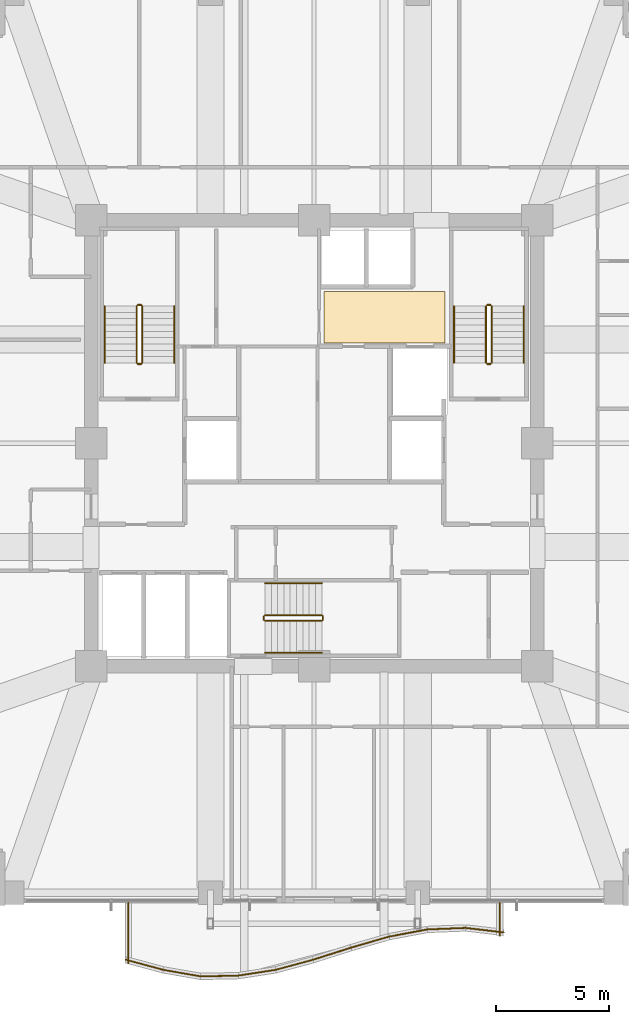
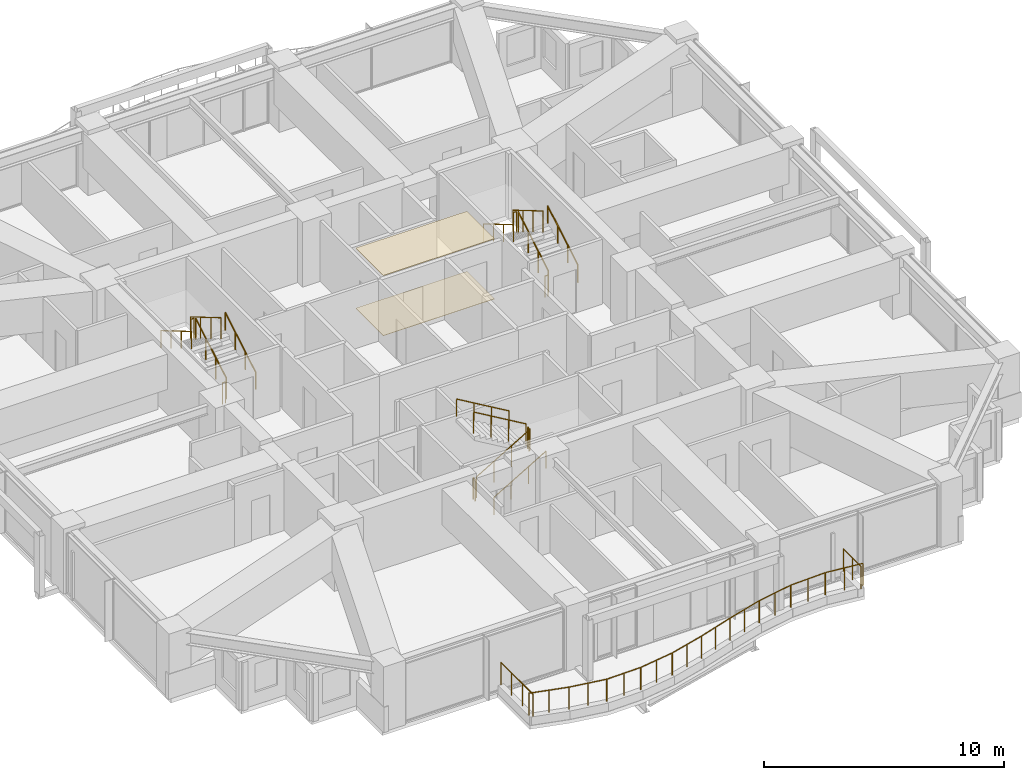
# One storey, part 38 of 39: 30 railings, 2 coverings.
"""IFC4 building model written with IfcOpenShell, lengths in metres."""

from ifc_helpers import new_model, si_unit, direction, frame, origin, origin_2d, place, context, subcontext, project, spatial, polyline, circle, outline, extrude, material, layer, layer_set, type_object, element, save


model = new_model("IFC4")

# Units and contexts
model_context = context("Model", 3, precision=1e-05, world=origin(), true_north=direction((0.0, 1.0)))
body_context = subcontext(model_context, "Body", "Model", "MODEL_VIEW")
ifc_project = project(units=[si_unit("LENGTHUNIT", "METRE"), si_unit("AREAUNIT", "SQUARE_METRE"), si_unit("VOLUMEUNIT", "CUBIC_METRE"), si_unit("PLANEANGLEUNIT", "RADIAN"), si_unit("MASSUNIT", "GRAM", prefix="KILO")], contexts=[model_context])

# Site, building, storey
site_placement = place(None, origin())
site = spatial("IfcSite", under=ifc_project, at=site_placement, CompositionType="ELEMENT")
building_placement = place(site_placement, origin())
building = spatial("IfcBuilding", under=site, at=building_placement, Name="Kolvaren Belvedere", CompositionType="ELEMENT")
storey_placement = place(building_placement, frame((0.0, 0.0, 85.39990234375)))
storey = spatial("IfcBuildingStorey", under=building, at=storey_placement, Name="L24", CompositionType="ELEMENT", Elevation=85.39990234375)

# Coverings
ifc_material_1 = material(Name="Acoustic perforated gypsum board", Category="gypsum")
ifc_layer_1 = layer(ifc_material_1, 0.02490234375)
ifc_layer_set_1 = layer_set([ifc_layer_1], Name="Acoustic perforated gypsum board")
covering_type_1 = type_object("IfcCoveringType", Name="COV-CEIL-GYP", PredefinedType="CEILING", material=ifc_layer_set_1)
covering_1_placement = place(storey_placement, frame((0.0, 0.0, 3.05517578125)))
element("IfcCovering", 1, at=covering_1_placement, inside=storey, type_object=covering_type_1, Name="L24 Lift Lobby Acoustic Baffle Ceiling", PredefinedType="CEILING", context=body_context, shape_type="SweptSolid", body=[
    extrude(outline(polyline([(0.449951171875, 4.449951171875), (5.800048828125, 4.449951171875), (5.800048828125, 6.75), (0.449951171875, 6.75), (0.449951171875, 4.449951171875)])), origin(), (0.0, 0.0, 1.0), 0.02490234375),
])
ifc_material_2 = material(Name="Engineered Pacific white oak", Category="timber")
ifc_layer_2 = layer(ifc_material_2, 0.02001953125)
ifc_layer_set_2 = layer_set([ifc_layer_2], Name="Engineered Pacific white oak")
covering_type_2 = type_object("IfcCoveringType", Name="COV-FLR-OAK", PredefinedType="FLOORING", material=ifc_layer_set_2)
covering_2_placement = place(storey_placement, origin())
element("IfcCovering", 2, at=covering_2_placement, inside=storey, type_object=covering_type_2, Name="L24 Lift Lobby Finish Flooring", PredefinedType="FLOORING", context=body_context, shape_type="SweptSolid", body=[
    extrude(outline(polyline([(0.449951171875, 4.449951171875), (5.800048828125, 4.449951171875), (5.800048828125, 6.75), (0.449951171875, 6.75), (0.449951171875, 4.449951171875)])), origin(), (0.0, 0.0, 1.0), 0.02001953125),
])

# Railings
ifc_material_3 = material(Name="Anodised pale-metal aluminium & laminated glass guard", Category="aluminium")
railing_type_1 = type_object("IfcRailingType", Name="RL-GUARD-1150", PredefinedType="GUARDRAIL", material=ifc_material_3)
railing_1_placement = place(storey_placement, frame((-8.3583984375, -22.919189453125, 0.380126953125)))
element("IfcRailing", 3, at=railing_1_placement, inside=storey, type_object=railing_type_1, Name="L24 Exterior Deck Safety Guard BAL-S-1", PredefinedType="GUARDRAIL", context=body_context, shape_type="SweptSolid", body=[
    extrude(circle(Radius=0.02392578125, at=origin_2d()), frame((0.0, 0.0, 1.1259765625), z_axis=(0.965434024814, -0.260647546949, 0.0), x_axis=(0.260647546949, 0.965434024814, 0.0)), (0.0, 0.0, 1.0), 1.740234375),
    extrude(circle(Radius=0.02099609375, at=origin_2d()), origin(), (0.0, 0.0, 1.0), 1.101806640625),
    extrude(circle(Radius=0.02099609375, at=origin_2d()), frame((0.840087890625, -0.226806640625, 0.0)), (0.0, 0.0, 1.0), 1.101806640625),
    extrude(circle(Radius=0.02099609375, at=origin_2d()), frame((1.68017578125, -0.45361328125, 0.0)), (0.0, 0.0, 1.0), 1.101806640625),
])
railing_2_placement = place(storey_placement, frame((-6.6923828125, -23.36962890625, 0.380126953125)))
element("IfcRailing", 4, at=railing_2_placement, inside=storey, type_object=railing_type_1, Name="L24 Exterior Deck Safety Guard BAL-S-2", PredefinedType="GUARDRAIL", context=body_context, shape_type="SweptSolid", body=[
    extrude(circle(Radius=0.02392578125, at=origin_2d()), frame((0.0, 0.0, 1.1259765625), z_axis=(0.985156010777, -0.171661394699, 0.0), x_axis=(0.171661394699, 0.985156010777, 0.0)), (0.0, 0.0, 1.0), 1.705322265625),
    extrude(circle(Radius=0.02099609375, at=origin_2d()), origin(), (0.0, 0.0, 1.0), 1.101806640625),
    extrude(circle(Radius=0.02099609375, at=origin_2d()), frame((0.83984375, -0.146484375, 0.0)), (0.0, 0.0, 1.0), 1.101806640625),
    extrude(circle(Radius=0.02099609375, at=origin_2d()), frame((1.679931640625, -0.292724609375, 0.0)), (0.0, 0.0, 1.0), 1.101806640625),
])
railing_3_placement = place(storey_placement, frame((-5.043212890625, -23.659912109375, 0.380126953125)))
element("IfcRailing", 5, at=railing_3_placement, inside=storey, type_object=railing_type_1, Name="L24 Exterior Deck Safety Guard BAL-S-3", PredefinedType="GUARDRAIL", context=body_context, shape_type="SweptSolid", body=[
    extrude(circle(Radius=0.02392578125, at=origin_2d()), frame((0.0, 0.0, 1.1259765625), z_axis=(0.99979895463, 0.020051192521, 0.0), x_axis=(-0.020051192521, 0.99979895463, 0.0)), (0.0, 0.0, 1.0), 1.68017578125),
    extrude(circle(Radius=0.02099609375, at=origin_2d()), origin(), (0.0, 0.0, 1.0), 1.101806640625),
    extrude(circle(Radius=0.02099609375, at=origin_2d()), frame((0.83984375, 0.016845703125, 0.0)), (0.0, 0.0, 1.0), 1.101806640625),
    extrude(circle(Radius=0.02099609375, at=origin_2d()), frame((1.679931640625, 0.03369140625, 0.0)), (0.0, 0.0, 1.0), 1.101806640625),
])
railing_4_placement = place(storey_placement, frame((-3.384521484375, -23.6279296875, 0.380126953125)))
element("IfcRailing", 6, at=railing_4_placement, inside=storey, type_object=railing_type_1, Name="L24 Exterior Deck Safety Guard BAL-S-4", PredefinedType="GUARDRAIL", context=body_context, shape_type="SweptSolid", body=[
    extrude(circle(Radius=0.02392578125, at=origin_2d()), frame((0.0, 0.0, 1.1259765625), z_axis=(0.988345118302, 0.152229849666, 0.0), x_axis=(-0.152229849666, 0.988345118302, 0.0)), (0.0, 0.0, 1.0), 1.699951171875),
    extrude(circle(Radius=0.02099609375, at=origin_2d()), origin(), (0.0, 0.0, 1.0), 1.101806640625),
    extrude(circle(Radius=0.02099609375, at=origin_2d()), frame((0.840087890625, 0.12939453125, 0.0)), (0.0, 0.0, 1.0), 1.101806640625),
    extrude(circle(Radius=0.02099609375, at=origin_2d()), frame((1.68017578125, 0.2587890625, 0.0)), (0.0, 0.0, 1.0), 1.101806640625),
])
railing_5_placement = place(storey_placement, frame((-1.7216796875, -23.372802734375, 0.380126953125)))
element("IfcRailing", 7, at=railing_5_placement, inside=storey, type_object=railing_type_1, Name="L24 Exterior Deck Safety Guard BAL-S-5", PredefinedType="GUARDRAIL", context=body_context, shape_type="SweptSolid", body=[
    extrude(circle(Radius=0.02392578125, at=origin_2d()), frame((0.0, 0.0, 1.1259765625), z_axis=(0.965424492388, 0.260682852326, 0.0), x_axis=(-0.260682852326, 0.965424492388, 0.0)), (0.0, 0.0, 1.0), 1.739990234375),
    extrude(circle(Radius=0.02099609375, at=origin_2d()), origin(), (0.0, 0.0, 1.0), 1.101806640625),
    extrude(circle(Radius=0.02099609375, at=origin_2d()), frame((0.83984375, 0.226806640625, 0.0)), (0.0, 0.0, 1.0), 1.101806640625),
    extrude(circle(Radius=0.02099609375, at=origin_2d()), frame((1.679931640625, 0.45361328125, 0.0)), (0.0, 0.0, 1.0), 1.101806640625),
])
railing_6_placement = place(storey_placement, frame((-0.048583984375, -22.92138671875, 0.380126953125)))
element("IfcRailing", 8, at=railing_6_placement, inside=storey, type_object=railing_type_1, Name="L24 Exterior Deck Safety Guard BAL-S-6", PredefinedType="GUARDRAIL", context=body_context, shape_type="SweptSolid", body=[
    extrude(circle(Radius=0.02392578125, at=origin_2d()), frame((0.0, 0.0, 1.1259765625), z_axis=(0.952661770826, 0.304032153573, 0.0), x_axis=(-0.304032153573, 0.952661770826, 0.0)), (0.0, 0.0, 1.0), 1.763427734375),
    extrude(circle(Radius=0.02099609375, at=origin_2d()), origin(), (0.0, 0.0, 1.0), 1.101806640625),
    extrude(circle(Radius=0.02099609375, at=origin_2d()), frame((0.83984375, 0.26806640625, 0.0)), (0.0, 0.0, 1.0), 1.101806640625),
    extrude(circle(Radius=0.02099609375, at=origin_2d()), frame((1.679931640625, 0.5361328125, 0.0)), (0.0, 0.0, 1.0), 1.101806640625),
])
railing_7_placement = place(storey_placement, frame((1.635498046875, -22.3837890625, 0.380126953125)))
element("IfcRailing", 9, at=railing_7_placement, inside=storey, type_object=railing_type_1, Name="L24 Exterior Deck Safety Guard BAL-S-7", PredefinedType="GUARDRAIL", context=body_context, shape_type="SweptSolid", body=[
    extrude(circle(Radius=0.02392578125, at=origin_2d()), frame((0.0, 0.0, 1.1259765625), z_axis=(0.960633903819, 0.277817391164, 0.0), x_axis=(-0.277817391164, 0.960633903819, 0.0)), (0.0, 0.0, 1.0), 1.748779296875),
    extrude(circle(Radius=0.02099609375, at=origin_2d()), origin(), (0.0, 0.0, 1.0), 1.101806640625),
    extrude(circle(Radius=0.02099609375, at=origin_2d()), frame((0.83984375, 0.242919921875, 0.0)), (0.0, 0.0, 1.0), 1.101806640625),
    extrude(circle(Radius=0.02099609375, at=origin_2d()), frame((1.679931640625, 0.48583984375, 0.0)), (0.0, 0.0, 1.0), 1.101806640625),
])
railing_8_placement = place(storey_placement, frame((3.330322265625, -21.894287109375, 0.380126953125)))
element("IfcRailing", 10, at=railing_8_placement, inside=storey, type_object=railing_type_1, Name="L24 Exterior Deck Safety Guard BAL-S-8", PredefinedType="GUARDRAIL", context=body_context, shape_type="SweptSolid", body=[
    extrude(circle(Radius=0.02392578125, at=origin_2d()), frame((0.0, 0.0, 1.1259765625), z_axis=(0.982804219087, 0.184650661912, 0.0), x_axis=(-0.184650661912, 0.982804219087, 0.0)), (0.0, 0.0, 1.0), 1.70947265625),
    extrude(circle(Radius=0.02099609375, at=origin_2d()), origin(), (0.0, 0.0, 1.0), 1.101806640625),
    extrude(circle(Radius=0.02099609375, at=origin_2d()), frame((0.840087890625, 0.15771484375, 0.0)), (0.0, 0.0, 1.0), 1.101806640625),
    extrude(circle(Radius=0.02099609375, at=origin_2d()), frame((1.68017578125, 0.315673828125, 0.0)), (0.0, 0.0, 1.0), 1.101806640625),
])
railing_9_placement = place(storey_placement, frame((5.03369140625, -21.575927734375, 0.380126953125)))
element("IfcRailing", 11, at=railing_9_placement, inside=storey, type_object=railing_type_1, Name="L24 Exterior Deck Safety Guard BAL-S-9", PredefinedType="GUARDRAIL", context=body_context, shape_type="SweptSolid", body=[
    extrude(circle(Radius=0.02392578125, at=origin_2d()), frame((0.0, 0.0, 1.1259765625), z_axis=(0.999196545286, 0.040078222133, 0.0), x_axis=(-0.040078222133, 0.999196545286, 0.0)), (0.0, 0.0, 1.0), 1.681396484375),
    extrude(circle(Radius=0.02099609375, at=origin_2d()), origin(), (0.0, 0.0, 1.0), 1.101806640625),
    extrude(circle(Radius=0.02099609375, at=origin_2d()), frame((0.83984375, 0.03369140625, 0.0)), (0.0, 0.0, 1.0), 1.101806640625),
    extrude(circle(Radius=0.02099609375, at=origin_2d()), frame((1.679931640625, 0.0673828125, 0.0)), (0.0, 0.0, 1.0), 1.101806640625),
])
railing_10_placement = place(storey_placement, frame((6.73876953125, -21.509521484375, 0.380126953125)))
element("IfcRailing", 12, at=railing_10_placement, inside=storey, type_object=railing_type_1, Name="L24 Exterior Deck Safety Guard BAL-S-10", PredefinedType="GUARDRAIL", context=body_context, shape_type="SweptSolid", body=[
    extrude(circle(Radius=0.02392578125, at=origin_2d()), frame((0.0, 0.0, 1.1259765625), z_axis=(0.993125952783, -0.11705059551, 0.0), x_axis=(0.11705059551, 0.993125952783, 0.0)), (0.0, 0.0, 1.0), 1.691650390625),
    extrude(circle(Radius=0.02099609375, at=origin_2d()), origin(), (0.0, 0.0, 1.0), 1.101806640625),
    extrude(circle(Radius=0.02099609375, at=origin_2d()), frame((0.83984375, -0.09912109375, 0.0)), (0.0, 0.0, 1.0), 1.101806640625),
    extrude(circle(Radius=0.02099609375, at=origin_2d()), frame((1.679931640625, -0.197998046875, 0.0)), (0.0, 0.0, 1.0), 1.101806640625),
])
railing_11_placement = place(storey_placement, frame((8.239990234375, -21.8662109375, 0.380126953125)))
element("IfcRailing", 13, at=railing_11_placement, inside=storey, type_object=railing_type_1, Name="L24 Exterior Deck Safety Guard BAL-S-11", PredefinedType="GUARDRAIL", context=body_context, shape_type="SweptSolid", body=[
    extrude(circle(Radius=0.02392578125, at=origin_2d()), frame((0.0, 0.0, 1.1259765625), z_axis=(0.0, 1.0, 0.0), x_axis=(-1.0, 0.0, 0.0)), (0.0, 0.0, 1.0), 1.46630859375),
    extrude(circle(Radius=0.02099609375, at=origin_2d()), origin(), (0.0, 0.0, 1.0), 1.101806640625),
    extrude(circle(Radius=0.02099609375, at=origin_2d()), frame((0.0, 0.733154296875, 0.0)), (0.0, 0.0, 1.0), 1.101806640625),
    extrude(circle(Radius=0.02099609375, at=origin_2d()), frame((0.0, 1.46630859375, 0.0)), (0.0, 0.0, 1.0), 1.101806640625),
])
railing_12_placement = place(storey_placement, frame((-8.239990234375, -20.39990234375, 0.380126953125)))
element("IfcRailing", 14, at=railing_12_placement, inside=storey, type_object=railing_type_1, Name="L24 Exterior Deck Safety Guard BAL-S-22", PredefinedType="GUARDRAIL", context=body_context, shape_type="SweptSolid", body=[
    extrude(circle(Radius=0.02392578125, at=origin_2d()), frame((0.0, 0.0, 1.1259765625), z_axis=(0.0, -1.0, 0.0), x_axis=(1.0, 0.0, 0.0)), (0.0, 0.0, 1.0), 2.673828125),
    extrude(circle(Radius=0.02099609375, at=origin_2d()), origin(), (0.0, 0.0, 1.0), 1.101806640625),
    extrude(circle(Radius=0.02099609375, at=origin_2d()), frame((0.0, -0.891357421875, 0.0)), (0.0, 0.0, 1.0), 1.101806640625),
    extrude(circle(Radius=0.02099609375, at=origin_2d()), frame((0.0, -1.782470703125, 0.0)), (0.0, 0.0, 1.0), 1.101806640625),
    extrude(circle(Radius=0.02099609375, at=origin_2d()), frame((0.0, -2.673828125, 0.0)), (0.0, 0.0, 1.0), 1.101806640625),
])
ifc_material_4 = material(Name="Brushed stainless-steel handrail", Category="steel")
railing_type_2 = type_object("IfcRailingType", Name="RL-HANDRAIL-920", PredefinedType="HANDRAIL", material=ifc_material_4)
railing_13_placement = place(storey_placement, frame((-6.2099609375, 3.570068359375, 0.1650390625)))
element("IfcRailing", 15, at=railing_13_placement, inside=storey, type_object=railing_type_2, Name="L24 ST-1 stair handrail 1", PredefinedType="HANDRAIL", context=body_context, shape_type="SweptSolid", body=[
    extrude(circle(Radius=0.02392578125, at=origin_2d()), frame((0.0, 0.0, 0.8759765625), z_axis=(0.0, 0.86152411907, 0.507716645641), x_axis=(-1.0, 0.0, 0.0)), (0.0, 0.0, 1.0), 2.925048828125),
    extrude(circle(Radius=0.02099609375, at=origin_2d()), origin(), (0.0, 0.0, 1.0), 0.851806640625),
    extrude(circle(Radius=0.02099609375, at=origin_2d()), frame((0.0, 0.840087890625, 0.4951171875)), (0.0, 0.0, 1.0), 0.851806640625),
    extrude(circle(Radius=0.02099609375, at=origin_2d()), frame((0.0, 1.679931640625, 0.989990234375)), (0.0, 0.0, 1.0), 0.851806640625),
    extrude(circle(Radius=0.02099609375, at=origin_2d()), frame((0.0, 2.52001953125, 1.485107421875)), (0.0, 0.0, 1.0), 0.851806640625),
])
railing_14_placement = place(storey_placement, frame((-9.300048828125, 6.090087890625, 1.815185546875)))
element("IfcRailing", 16, at=railing_14_placement, inside=storey, type_object=railing_type_2, Name="L24 ST-1 stair handrail 2", PredefinedType="HANDRAIL", context=body_context, shape_type="SweptSolid", body=[
    extrude(circle(Radius=0.02392578125, at=origin_2d()), frame((0.0, 0.0, 0.8759765625), z_axis=(0.0, -0.861560626758, 0.507654692109), x_axis=(1.0, 0.0, 0.0)), (0.0, 0.0, 1.0), 2.925048828125),
    extrude(circle(Radius=0.02099609375, at=origin_2d()), origin(), (0.0, 0.0, 1.0), 0.851806640625),
    extrude(circle(Radius=0.02099609375, at=origin_2d()), frame((0.0, -0.840087890625, 0.494873046875)), (0.0, 0.0, 1.0), 0.851806640625),
    extrude(circle(Radius=0.02099609375, at=origin_2d()), frame((0.0, -1.679931640625, 0.989990234375)), (0.0, 0.0, 1.0), 0.851806640625),
    extrude(circle(Radius=0.02099609375, at=origin_2d()), frame((0.0, -2.52001953125, 1.48486328125)), (0.0, 0.0, 1.0), 0.851806640625),
])
railing_15_placement = place(storey_placement, frame((9.300048828125, 3.570068359375, 0.1650390625)))
element("IfcRailing", 17, at=railing_15_placement, inside=storey, type_object=railing_type_2, Name="L24 ST-2 stair handrail 1", PredefinedType="HANDRAIL", context=body_context, shape_type="SweptSolid", body=[
    extrude(circle(Radius=0.02392578125, at=origin_2d()), frame((0.0, 0.0, 0.8759765625), z_axis=(0.0, 0.86152411907, 0.507716645641), x_axis=(-1.0, 0.0, 0.0)), (0.0, 0.0, 1.0), 2.925048828125),
    extrude(circle(Radius=0.02099609375, at=origin_2d()), origin(), (0.0, 0.0, 1.0), 0.851806640625),
    extrude(circle(Radius=0.02099609375, at=origin_2d()), frame((0.0, 0.840087890625, 0.4951171875)), (0.0, 0.0, 1.0), 0.851806640625),
    extrude(circle(Radius=0.02099609375, at=origin_2d()), frame((0.0, 1.679931640625, 0.989990234375)), (0.0, 0.0, 1.0), 0.851806640625),
    extrude(circle(Radius=0.02099609375, at=origin_2d()), frame((0.0, 2.52001953125, 1.485107421875)), (0.0, 0.0, 1.0), 0.851806640625),
])
railing_16_placement = place(storey_placement, frame((6.2099609375, 6.090087890625, 1.815185546875)))
element("IfcRailing", 18, at=railing_16_placement, inside=storey, type_object=railing_type_2, Name="L24 ST-2 stair handrail 2", PredefinedType="HANDRAIL", context=body_context, shape_type="SweptSolid", body=[
    extrude(circle(Radius=0.02392578125, at=origin_2d()), frame((0.0, 0.0, 0.8759765625), z_axis=(0.0, -0.861560626758, 0.507654692109), x_axis=(1.0, 0.0, 0.0)), (0.0, 0.0, 1.0), 2.925048828125),
    extrude(circle(Radius=0.02099609375, at=origin_2d()), origin(), (0.0, 0.0, 1.0), 0.851806640625),
    extrude(circle(Radius=0.02099609375, at=origin_2d()), frame((0.0, -0.840087890625, 0.494873046875)), (0.0, 0.0, 1.0), 0.851806640625),
    extrude(circle(Radius=0.02099609375, at=origin_2d()), frame((0.0, -1.679931640625, 0.989990234375)), (0.0, 0.0, 1.0), 0.851806640625),
    extrude(circle(Radius=0.02099609375, at=origin_2d()), frame((0.0, -2.52001953125, 1.48486328125)), (0.0, 0.0, 1.0), 0.851806640625),
])
railing_17_placement = place(storey_placement, frame((-2.179931640625, -9.300048828125, 0.1650390625)))
element("IfcRailing", 19, at=railing_17_placement, inside=storey, type_object=railing_type_2, Name="L24 ST-3 stair handrail 1", PredefinedType="HANDRAIL", context=body_context, shape_type="SweptSolid", body=[
    extrude(circle(Radius=0.02392578125, at=origin_2d()), frame((0.0, 0.0, 0.8759765625), z_axis=(0.86152411907, 0.0, 0.507716645641), x_axis=(0.0, 1.0, 0.0)), (0.0, 0.0, 1.0), 2.925048828125),
    extrude(circle(Radius=0.02099609375, at=origin_2d()), origin(), (0.0, 0.0, 1.0), 0.851806640625),
    extrude(circle(Radius=0.02099609375, at=origin_2d()), frame((0.840087890625, 0.0, 0.4951171875)), (0.0, 0.0, 1.0), 0.851806640625),
    extrude(circle(Radius=0.02099609375, at=origin_2d()), frame((1.679931640625, 0.0, 0.989990234375)), (0.0, 0.0, 1.0), 0.851806640625),
    extrude(circle(Radius=0.02099609375, at=origin_2d()), frame((2.52001953125, 0.0, 1.485107421875)), (0.0, 0.0, 1.0), 0.851806640625),
])
railing_18_placement = place(storey_placement, frame((0.340087890625, -6.2099609375, 1.815185546875)))
element("IfcRailing", 20, at=railing_18_placement, inside=storey, type_object=railing_type_2, Name="L24 ST-3 stair handrail 2", PredefinedType="HANDRAIL", context=body_context, shape_type="SweptSolid", body=[
    extrude(circle(Radius=0.02392578125, at=origin_2d()), frame((0.0, 0.0, 0.8759765625), z_axis=(-0.861560626758, 0.0, 0.507654692109), x_axis=(0.0, -1.0, 0.0)), (0.0, 0.0, 1.0), 2.925048828125),
    extrude(circle(Radius=0.02099609375, at=origin_2d()), origin(), (0.0, 0.0, 1.0), 0.851806640625),
    extrude(circle(Radius=0.02099609375, at=origin_2d()), frame((-0.840087890625, 0.0, 0.494873046875)), (0.0, 0.0, 1.0), 0.851806640625),
    extrude(circle(Radius=0.02099609375, at=origin_2d()), frame((-1.679931640625, 0.0, 0.989990234375)), (0.0, 0.0, 1.0), 0.851806640625),
    extrude(circle(Radius=0.02099609375, at=origin_2d()), frame((-2.52001953125, 0.0, 1.48486328125)), (0.0, 0.0, 1.0), 0.851806640625),
])
ifc_material_5 = material(Name="Painted tubular steel stair guard", Category="steel")
railing_type_3 = type_object("IfcRailingType", Name="RL-STGUARD-1100", PredefinedType="GUARDRAIL", material=ifc_material_5)
railing_19_placement = place(storey_placement, frame((-7.6298828125, 3.570068359375, 0.1650390625)))
element("IfcRailing", 21, at=railing_19_placement, inside=storey, type_object=railing_type_3, Name="L24 ST-1 stair guard 1", PredefinedType="GUARDRAIL", context=body_context, shape_type="SweptSolid", body=[
    extrude(circle(Radius=0.02392578125, at=origin_2d()), frame((0.0, 0.0, 1.076171875), z_axis=(0.0, 0.86152411907, 0.507716645641), x_axis=(-1.0, 0.0, 0.0)), (0.0, 0.0, 1.0), 2.925048828125),
    extrude(circle(Radius=0.02099609375, at=origin_2d()), origin(), (0.0, 0.0, 1.0), 1.052001953125),
    extrude(circle(Radius=0.02099609375, at=origin_2d()), frame((0.0, 0.840087890625, 0.4951171875)), (0.0, 0.0, 1.0), 1.052001953125),
    extrude(circle(Radius=0.02099609375, at=origin_2d()), frame((0.0, 1.679931640625, 0.989990234375)), (0.0, 0.0, 1.0), 1.052001953125),
    extrude(circle(Radius=0.02099609375, at=origin_2d()), frame((0.0, 2.52001953125, 1.485107421875)), (0.0, 0.0, 1.0), 1.052001953125),
])
railing_20_placement = place(storey_placement, frame((-7.679931640625, 6.139892578125, 1.650146484375)))
element("IfcRailing", 22, at=railing_20_placement, inside=storey, type_object=railing_type_3, Name="L24 ST-1 stair guard 2", PredefinedType="GUARDRAIL", context=body_context, shape_type="SweptSolid", body=[
    extrude(circle(Radius=0.02392578125, at=origin_2d()), frame((0.0, 0.0, 1.076171875), z_axis=(-1.0, 0.0, 0.0), x_axis=(0.0, -1.0, 0.0)), (0.0, 0.0, 1.0), 0.150146484375),
    extrude(circle(Radius=0.02099609375, at=origin_2d()), origin(), (0.0, 0.0, 1.0), 1.052001953125),
    extrude(circle(Radius=0.02099609375, at=origin_2d()), frame((-0.150146484375, 0.0, 0.0)), (0.0, 0.0, 1.0), 1.052001953125),
])
railing_21_placement = place(storey_placement, frame((-7.8798828125, 6.090087890625, 1.815185546875)))
element("IfcRailing", 23, at=railing_21_placement, inside=storey, type_object=railing_type_3, Name="L24 ST-1 stair guard 3", PredefinedType="GUARDRAIL", context=body_context, shape_type="SweptSolid", body=[
    extrude(circle(Radius=0.02392578125, at=origin_2d()), frame((0.0, 0.0, 1.076171875), z_axis=(0.0, -0.861560626758, 0.507654692109), x_axis=(1.0, 0.0, 0.0)), (0.0, 0.0, 1.0), 2.925048828125),
    extrude(circle(Radius=0.02099609375, at=origin_2d()), origin(), (0.0, 0.0, 1.0), 1.052001953125),
    extrude(circle(Radius=0.02099609375, at=origin_2d()), frame((0.0, -0.840087890625, 0.494873046875)), (0.0, 0.0, 1.0), 1.052001953125),
    extrude(circle(Radius=0.02099609375, at=origin_2d()), frame((0.0, -1.679931640625, 0.989990234375)), (0.0, 0.0, 1.0), 1.052001953125),
    extrude(circle(Radius=0.02099609375, at=origin_2d()), frame((0.0, -2.52001953125, 1.48486328125)), (0.0, 0.0, 1.0), 1.052001953125),
])
railing_22_placement = place(storey_placement, frame((-7.679931640625, 3.52001953125, 0.0)))
element("IfcRailing", 24, at=railing_22_placement, inside=storey, type_object=railing_type_3, Name="L24 ST-1 stair guard 4", PredefinedType="GUARDRAIL", context=body_context, shape_type="SweptSolid", body=[
    extrude(circle(Radius=0.02392578125, at=origin_2d()), frame((0.0, 0.0, 1.076171875), z_axis=(-1.0, 0.0, 0.0), x_axis=(0.0, -1.0, 0.0)), (0.0, 0.0, 1.0), 0.150146484375),
    extrude(circle(Radius=0.02099609375, at=origin_2d()), origin(), (0.0, 0.0, 1.0), 1.052001953125),
    extrude(circle(Radius=0.02099609375, at=origin_2d()), frame((-0.150146484375, 0.0, 0.0)), (0.0, 0.0, 1.0), 1.052001953125),
])
railing_23_placement = place(storey_placement, frame((7.8798828125, 3.570068359375, 0.1650390625)))
element("IfcRailing", 25, at=railing_23_placement, inside=storey, type_object=railing_type_3, Name="L24 ST-2 stair guard 1", PredefinedType="GUARDRAIL", context=body_context, shape_type="SweptSolid", body=[
    extrude(circle(Radius=0.02392578125, at=origin_2d()), frame((0.0, 0.0, 1.076171875), z_axis=(0.0, 0.86152411907, 0.507716645641), x_axis=(-1.0, 0.0, 0.0)), (0.0, 0.0, 1.0), 2.925048828125),
    extrude(circle(Radius=0.02099609375, at=origin_2d()), origin(), (0.0, 0.0, 1.0), 1.052001953125),
    extrude(circle(Radius=0.02099609375, at=origin_2d()), frame((0.0, 0.840087890625, 0.4951171875)), (0.0, 0.0, 1.0), 1.052001953125),
    extrude(circle(Radius=0.02099609375, at=origin_2d()), frame((0.0, 1.679931640625, 0.989990234375)), (0.0, 0.0, 1.0), 1.052001953125),
    extrude(circle(Radius=0.02099609375, at=origin_2d()), frame((0.0, 2.52001953125, 1.485107421875)), (0.0, 0.0, 1.0), 1.052001953125),
])
railing_24_placement = place(storey_placement, frame((7.830078125, 6.139892578125, 1.650146484375)))
element("IfcRailing", 26, at=railing_24_placement, inside=storey, type_object=railing_type_3, Name="L24 ST-2 stair guard 2", PredefinedType="GUARDRAIL", context=body_context, shape_type="SweptSolid", body=[
    extrude(circle(Radius=0.02392578125, at=origin_2d()), frame((0.0, 0.0, 1.076171875), z_axis=(-1.0, 0.0, 0.0), x_axis=(0.0, -1.0, 0.0)), (0.0, 0.0, 1.0), 0.150146484375),
    extrude(circle(Radius=0.02099609375, at=origin_2d()), origin(), (0.0, 0.0, 1.0), 1.052001953125),
    extrude(circle(Radius=0.02099609375, at=origin_2d()), frame((-0.150146484375, 0.0, 0.0)), (0.0, 0.0, 1.0), 1.052001953125),
])
railing_25_placement = place(storey_placement, frame((7.6298828125, 6.090087890625, 1.815185546875)))
element("IfcRailing", 27, at=railing_25_placement, inside=storey, type_object=railing_type_3, Name="L24 ST-2 stair guard 3", PredefinedType="GUARDRAIL", context=body_context, shape_type="SweptSolid", body=[
    extrude(circle(Radius=0.02392578125, at=origin_2d()), frame((0.0, 0.0, 1.076171875), z_axis=(0.0, -0.861560626758, 0.507654692109), x_axis=(1.0, 0.0, 0.0)), (0.0, 0.0, 1.0), 2.925048828125),
    extrude(circle(Radius=0.02099609375, at=origin_2d()), origin(), (0.0, 0.0, 1.0), 1.052001953125),
    extrude(circle(Radius=0.02099609375, at=origin_2d()), frame((0.0, -0.840087890625, 0.494873046875)), (0.0, 0.0, 1.0), 1.052001953125),
    extrude(circle(Radius=0.02099609375, at=origin_2d()), frame((0.0, -1.679931640625, 0.989990234375)), (0.0, 0.0, 1.0), 1.052001953125),
    extrude(circle(Radius=0.02099609375, at=origin_2d()), frame((0.0, -2.52001953125, 1.48486328125)), (0.0, 0.0, 1.0), 1.052001953125),
])
railing_26_placement = place(storey_placement, frame((7.830078125, 3.52001953125, 0.0)))
element("IfcRailing", 28, at=railing_26_placement, inside=storey, type_object=railing_type_3, Name="L24 ST-2 stair guard 4", PredefinedType="GUARDRAIL", context=body_context, shape_type="SweptSolid", body=[
    extrude(circle(Radius=0.02392578125, at=origin_2d()), frame((0.0, 0.0, 1.076171875), z_axis=(-1.0, 0.0, 0.0), x_axis=(0.0, -1.0, 0.0)), (0.0, 0.0, 1.0), 0.150146484375),
    extrude(circle(Radius=0.02099609375, at=origin_2d()), origin(), (0.0, 0.0, 1.0), 1.052001953125),
    extrude(circle(Radius=0.02099609375, at=origin_2d()), frame((-0.150146484375, 0.0, 0.0)), (0.0, 0.0, 1.0), 1.052001953125),
])
railing_27_placement = place(storey_placement, frame((-2.179931640625, -7.8798828125, 0.1650390625)))
element("IfcRailing", 29, at=railing_27_placement, inside=storey, type_object=railing_type_3, Name="L24 ST-3 stair guard 1", PredefinedType="GUARDRAIL", context=body_context, shape_type="SweptSolid", body=[
    extrude(circle(Radius=0.02392578125, at=origin_2d()), frame((0.0, 0.0, 1.076171875), z_axis=(0.86152411907, 0.0, 0.507716645641), x_axis=(0.0, 1.0, 0.0)), (0.0, 0.0, 1.0), 2.925048828125),
    extrude(circle(Radius=0.02099609375, at=origin_2d()), origin(), (0.0, 0.0, 1.0), 1.052001953125),
    extrude(circle(Radius=0.02099609375, at=origin_2d()), frame((0.840087890625, 0.0, 0.4951171875)), (0.0, 0.0, 1.0), 1.052001953125),
    extrude(circle(Radius=0.02099609375, at=origin_2d()), frame((1.679931640625, 0.0, 0.989990234375)), (0.0, 0.0, 1.0), 1.052001953125),
    extrude(circle(Radius=0.02099609375, at=origin_2d()), frame((2.52001953125, 0.0, 1.485107421875)), (0.0, 0.0, 1.0), 1.052001953125),
])
railing_28_placement = place(storey_placement, frame((0.389892578125, -7.830078125, 1.650146484375)))
element("IfcRailing", 30, at=railing_28_placement, inside=storey, type_object=railing_type_3, Name="L24 ST-3 stair guard 2", PredefinedType="GUARDRAIL", context=body_context, shape_type="SweptSolid", body=[
    extrude(circle(Radius=0.02392578125, at=origin_2d()), frame((0.0, 0.0, 1.076171875), z_axis=(0.0, 1.0, 0.0), x_axis=(-1.0, 0.0, 0.0)), (0.0, 0.0, 1.0), 0.150146484375),
    extrude(circle(Radius=0.02099609375, at=origin_2d()), origin(), (0.0, 0.0, 1.0), 1.052001953125),
    extrude(circle(Radius=0.02099609375, at=origin_2d()), frame((0.0, 0.150146484375, 0.0)), (0.0, 0.0, 1.0), 1.052001953125),
])
railing_29_placement = place(storey_placement, frame((0.340087890625, -7.6298828125, 1.815185546875)))
element("IfcRailing", 31, at=railing_29_placement, inside=storey, type_object=railing_type_3, Name="L24 ST-3 stair guard 3", PredefinedType="GUARDRAIL", context=body_context, shape_type="SweptSolid", body=[
    extrude(circle(Radius=0.02392578125, at=origin_2d()), frame((0.0, 0.0, 1.076171875), z_axis=(-0.861560626758, 0.0, 0.507654692109), x_axis=(0.0, -1.0, 0.0)), (0.0, 0.0, 1.0), 2.925048828125),
    extrude(circle(Radius=0.02099609375, at=origin_2d()), origin(), (0.0, 0.0, 1.0), 1.052001953125),
    extrude(circle(Radius=0.02099609375, at=origin_2d()), frame((-0.840087890625, 0.0, 0.494873046875)), (0.0, 0.0, 1.0), 1.052001953125),
    extrude(circle(Radius=0.02099609375, at=origin_2d()), frame((-1.679931640625, 0.0, 0.989990234375)), (0.0, 0.0, 1.0), 1.052001953125),
    extrude(circle(Radius=0.02099609375, at=origin_2d()), frame((-2.52001953125, 0.0, 1.48486328125)), (0.0, 0.0, 1.0), 1.052001953125),
])
railing_30_placement = place(storey_placement, frame((-2.22998046875, -7.830078125, 0.0)))
element("IfcRailing", 32, at=railing_30_placement, inside=storey, type_object=railing_type_3, Name="L24 ST-3 stair guard 4", PredefinedType="GUARDRAIL", context=body_context, shape_type="SweptSolid", body=[
    extrude(circle(Radius=0.02392578125, at=origin_2d()), frame((0.0, 0.0, 1.076171875), z_axis=(0.0, 1.0, 0.0), x_axis=(-1.0, 0.0, 0.0)), (0.0, 0.0, 1.0), 0.150146484375),
    extrude(circle(Radius=0.02099609375, at=origin_2d()), origin(), (0.0, 0.0, 1.0), 1.052001953125),
    extrude(circle(Radius=0.02099609375, at=origin_2d()), frame((0.0, 0.150146484375, 0.0)), (0.0, 0.0, 1.0), 1.052001953125),
])

save(model, "model.ifc")
